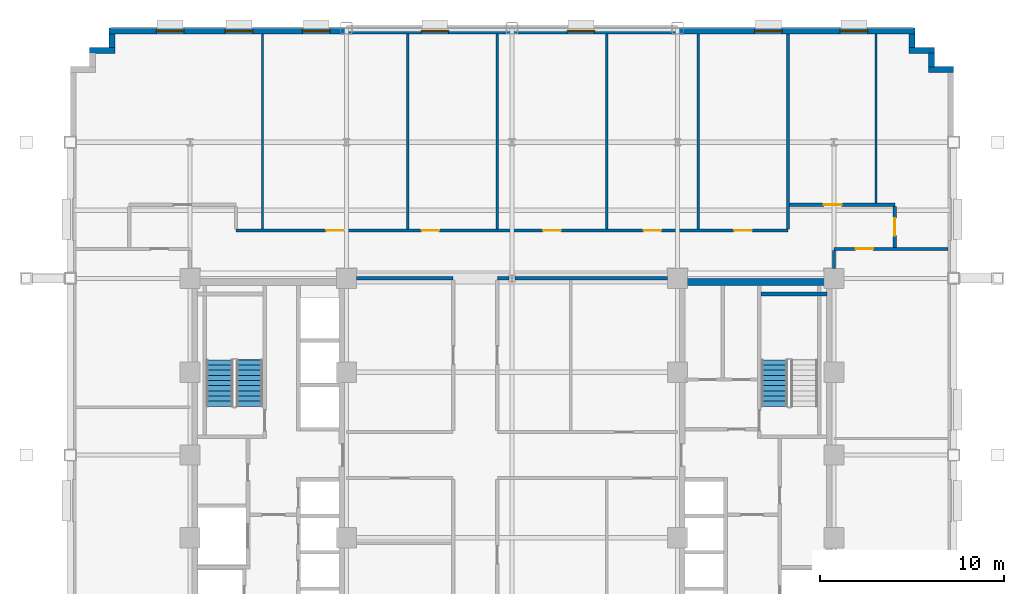
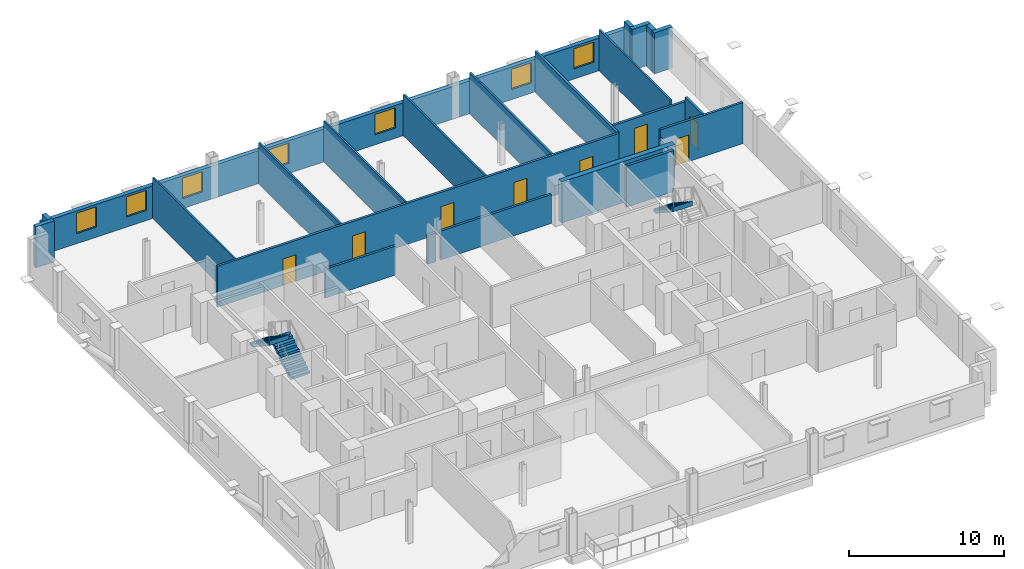
# One storey, part 9 of 14: 24 walls, 8 doors, 7 windows, 3 stair flights, 15 openings, 2 elements without a shape of their own.
"""IFC4 building model written with IfcOpenShell, lengths in metres."""

import ifcopenshell
import ifcopenshell.guid

model = None  # the IFC model being written
_history = None  # IfcOwnerHistory: only IFC2X3 demands one
_inside = {}  # id of a spatial element -> (the spatial element, [elements in it])
_under = {}  # id of a project, library or spatial element -> (it, [spatial elements below it])
_declared = {}  # id of a project -> (the project, [libraries it declares])
_typed = {}  # id of a type object -> (the type object, [elements of that type])
_made_of = {}  # id of a material, layer set ... -> (it, [elements and type objects made of it])


def new_model(schema):
    """Start an empty IFC model of exactly this schema.

    Asked for "IFC4X3", IfcOpenShell would pick the latest addendum, in which some entities
    have other attributes; the version numbers below select the first issue.
    IFC2X3 requires an IfcOwnerHistory on every rooted entity: one is made here for all.
    """
    global model, _history
    if schema == "IFC4X3":
        model = ifcopenshell.file(schema_version=(4, 3, 0, 0))
    else:
        model = ifcopenshell.file(schema=schema)
    _inside.clear()
    _under.clear()
    _declared.clear()
    _typed.clear()
    _made_of.clear()
    _history = None
    if model.schema == "IFC2X3":
        org = make("IfcOrganization", Name="unknown")
        user = make(
            "IfcPersonAndOrganization",
            ThePerson=make("IfcPerson", FamilyName="unknown"),
            TheOrganization=org,
        )
        app = make(
            "IfcApplication",
            ApplicationDeveloper=org,
            Version="unknown",
            ApplicationFullName="unknown",
            ApplicationIdentifier="unknown",
        )
        _history = make(
            "IfcOwnerHistory",
            OwningUser=user,
            OwningApplication=app,
            ChangeAction="ADDED",
            CreationDate=0,
        )
    return model


def make(cls, **values):
    """One entity of the class cls with the attributes given. An attribute that is None is left unset."""
    return model.create_entity(
        cls, **{name: value for name, value in values.items() if value is not None}
    )


def rooted(cls, **values):
    """An entity with a GlobalId (a new one), such as an element, a storey or a relation."""
    return make(cls, GlobalId=ifcopenshell.guid.new(), OwnerHistory=_history, **values)


def si_unit(unit_type, name, prefix=None):
    """IfcSIUnit, for example si_unit("LENGTHUNIT", "METRE", prefix="MILLI")."""
    return make("IfcSIUnit", UnitType=unit_type, Prefix=prefix, Name=name)


def assignment(units):
    """IfcUnitAssignment: the units of a project."""
    return None if units is None else make("IfcUnitAssignment", Units=units)


def point(xyz):
    """IfcCartesianPoint."""
    return None if xyz is None else make("IfcCartesianPoint", Coordinates=xyz)


def direction(xyz):
    """IfcDirection."""
    return None if xyz is None else make("IfcDirection", DirectionRatios=xyz)


def frame(location, z_axis=None, x_axis=None):
    """IfcAxis2Placement3D, a coordinate frame: its origin and axes. An axis left out is left unset."""
    return make(
        "IfcAxis2Placement3D",
        Location=point(location),
        Axis=direction(z_axis),
        RefDirection=direction(x_axis),
    )


def frame_2d(location, x_axis=None):
    """IfcAxis2Placement2D, a coordinate frame in the plane: its origin and x axis."""
    return make(
        "IfcAxis2Placement2D", Location=point(location), RefDirection=direction(x_axis)
    )


def origin():
    """The frame at (0, 0, 0) with its axes left unset."""
    return frame((0.0, 0.0, 0.0))


def place(relative_to, where):
    """IfcLocalPlacement: puts the frame where relative to a parent placement (None: the world)."""
    return make(
        "IfcLocalPlacement", PlacementRelTo=relative_to, RelativePlacement=where
    )


def context(
    kind, dimensions, precision=None, world=None, true_north=None, identifier=None
):
    """IfcGeometricRepresentationContext, for example the 3D "Model" context."""
    return make(
        "IfcGeometricRepresentationContext",
        ContextIdentifier=identifier,
        ContextType=kind,
        CoordinateSpaceDimension=dimensions,
        Precision=precision,
        WorldCoordinateSystem=world,
        TrueNorth=true_north,
    )


def subcontext(parent, identifier, kind, view, scale=None):
    """IfcGeometricRepresentationSubContext, for example "Body" below "Model"."""
    return make(
        "IfcGeometricRepresentationSubContext",
        ContextIdentifier=identifier,
        ContextType=kind,
        ParentContext=parent,
        TargetScale=scale,
        TargetView=view,
    )


def project(units=None, contexts=None):
    """IfcProject with its units and contexts."""
    return rooted(
        "IfcProject",
        Name="project",
        RepresentationContexts=contexts,
        UnitsInContext=assignment(units),
    )


def spatial(cls, under=None, at=None, **own):
    """A site, building, storey or space (cls), placed at a placement, below another one or the project."""
    s = rooted(cls, ObjectPlacement=at, **own)
    if under is not None:
        _under.setdefault(under.id(), (under, []))[1].append(s)
    return s


def polyline(points):
    """IfcPolyline through the points."""
    return make("IfcPolyline", Points=[point(p) for p in points])


def profile(cls, at=None, kind="AREA", **sizes):
    """A parametric profile (cls). Its sizes go by their IFC names, for example OverallWidth=200.0."""
    return make(cls, ProfileType=kind, Position=at, **sizes)


def rectangle(**sizes):
    """IfcRectangleProfileDef."""
    return profile("IfcRectangleProfileDef", **sizes)


def outline(outer, holes=None, kind="AREA"):
    """IfcArbitraryClosedProfileDef: a profile drawn as a closed curve; with holes, ...WithVoids."""
    if holes is None:
        return make("IfcArbitraryClosedProfileDef", ProfileType=kind, OuterCurve=outer)
    return make(
        "IfcArbitraryProfileDefWithVoids",
        ProfileType=kind,
        OuterCurve=outer,
        InnerCurves=holes,
    )


def extrude(swept, where, along, depth):
    """IfcExtrudedAreaSolid: the profile swept, set in the frame where, extruded along a direction by depth."""
    return make(
        "IfcExtrudedAreaSolid",
        SweptArea=swept,
        Position=where,
        ExtrudedDirection=direction(along),
        Depth=depth,
    )


def shape(context_of_items, identifier, shape_type, items):
    """IfcShapeRepresentation: the items that make up one representation, for example the "Body"."""
    return make(
        "IfcShapeRepresentation",
        ContextOfItems=context_of_items,
        RepresentationIdentifier=identifier,
        RepresentationType=shape_type,
        Items=items,
    )


def source(mapping_origin, context_of_items, identifier, shape_type, items):
    """IfcRepresentationMap: a shape defined once, which mapped items show again and again."""
    return make(
        "IfcRepresentationMap",
        MappingOrigin=mapping_origin,
        MappedRepresentation=shape(context_of_items, identifier, shape_type, items),
    )


def transform(
    local_origin,
    x_axis=None,
    y_axis=None,
    z_axis=None,
    scale=None,
    scale2=None,
    scale3=None,
    uniform=True,
):
    """IfcCartesianTransformationOperator3D, or its non-uniform kind. x_axis, y_axis, z_axis: its Axis1, 2, 3."""
    if uniform:
        return make(
            "IfcCartesianTransformationOperator3D",
            Axis1=direction(x_axis),
            Axis2=direction(y_axis),
            LocalOrigin=point(local_origin),
            Scale=scale,
            Axis3=direction(z_axis),
        )
    return make(
        "IfcCartesianTransformationOperator3DnonUniform",
        Axis1=direction(x_axis),
        Axis2=direction(y_axis),
        LocalOrigin=point(local_origin),
        Scale=scale,
        Axis3=direction(z_axis),
        Scale2=scale2,
        Scale3=scale3,
    )


def mapped(mapping_source, mapping_target):
    """IfcMappedItem: shows the shape of a source again, moved by a transform."""
    return make(
        "IfcMappedItem", MappingSource=mapping_source, MappingTarget=mapping_target
    )


def material(Name=None, Category=None):
    """IfcMaterial."""
    return make("IfcMaterial", Name=Name, Category=Category)


def layer(
    of_material, thickness, ventilated=None, Name=None, Category=None, Priority=None
):
    """IfcMaterialLayer: one layer of a wall or slab, of a material (None: an air gap)."""
    return make(
        "IfcMaterialLayer",
        Material=of_material,
        LayerThickness=thickness,
        IsVentilated=ventilated,
        Name=Name,
        Category=Category,
        Priority=Priority,
    )


def layer_set(layers, Name=None):
    """IfcMaterialLayerSet."""
    return make("IfcMaterialLayerSet", MaterialLayers=layers, LayerSetName=Name)


def made_of(thing, what):
    """Note that an element or type object is made of a material, layer set ...; save() writes the relation."""
    if what is not None:
        _made_of.setdefault(what.id(), (what, []))[1].append(thing)
    return thing


def type_object(cls, material=None, **own):
    """A type object (cls), such as IfcWallType, which elements share."""
    return made_of(rooted(cls, **own), material)


def type_shapes(of_type, sources):
    """Give a type object the sources (RepresentationMaps) that its elements show as mapped items."""
    of_type.RepresentationMaps = sources


def element(
    cls,
    number,
    at=None,
    inside=None,
    cuts=None,
    type_object=None,
    material=None,
    context=None,
    identifier="Body",
    shape_type=None,
    held_by="IfcProductDefinitionShape",
    body=None,
    shapes=None,
    **own,
):
    """One element of the class cls, such as IfcWall. Its Tag is "e" and its number.

    at: its placement. inside: the storey or other place that contains it. cuts: it is an
    opening in that element (IfcRelVoidsElement). A single representation is given by context,
    identifier, shape_type and body (its items); several are given by shapes. held_by: the class
    of the entity that holds the representations. save() writes the other relations.
    """
    e = rooted(cls, Tag="e%d" % number, ObjectPlacement=at, **own)
    if body is not None:
        shapes = [shape(context, identifier, shape_type, body)]
    if shapes is not None:
        e.Representation = make(held_by, Representations=shapes)
    if inside is not None:
        _inside.setdefault(inside.id(), (inside, []))[1].append(e)
    if cuts is not None:
        rooted(
            "IfcRelVoidsElement", RelatingBuildingElement=cuts, RelatedOpeningElement=e
        )
    if type_object is not None:
        _typed.setdefault(type_object.id(), (type_object, []))[1].append(e)
    return made_of(e, material)


def fill(opening, filler):
    """IfcRelFillsElement: the door or window that sits in an opening."""
    return rooted(
        "IfcRelFillsElement",
        RelatingOpeningElement=opening,
        RelatedBuildingElement=filler,
    )


def aggregate(whole, parts):
    """IfcRelAggregates: a whole, such as a stair, and the parts it consists of."""
    return rooted("IfcRelAggregates", RelatingObject=whole, RelatedObjects=parts)


def save(model, path):
    """Write the relations noted so far, then the file.

    IfcRelAggregates (storeys below a building ...), IfcRelContainedInSpatialStructure (elements
    in a storey), IfcRelDefinesByType, IfcRelAssociatesMaterial and IfcRelDeclares: one each for
    every whole, place, type object, material and project.
    """
    for whole, parts in _under.values():
        aggregate(whole, parts)
    for where, things in _inside.values():
        rooted(
            "IfcRelContainedInSpatialStructure",
            RelatedElements=things,
            RelatingStructure=where,
        )
    for kind, things in _typed.values():
        rooted("IfcRelDefinesByType", RelatedObjects=things, RelatingType=kind)
    for what, things in _made_of.values():
        rooted("IfcRelAssociatesMaterial", RelatedObjects=things, RelatingMaterial=what)
    for by, libraries in _declared.values():
        rooted("IfcRelDeclares", RelatingContext=by, RelatedDefinitions=libraries)
    model.write(path)


model = new_model("IFC4")

# Units and contexts
model_context = context("Model", 3, precision=1e-05, world=origin(), true_north=direction((0.0, 1.0)))
body_context = subcontext(model_context, "Body", "Model", "MODEL_VIEW")
ifc_project = project(units=[si_unit("LENGTHUNIT", "METRE"), si_unit("AREAUNIT", "SQUARE_METRE"), si_unit("VOLUMEUNIT", "CUBIC_METRE"), si_unit("PLANEANGLEUNIT", "RADIAN"), si_unit("MASSUNIT", "GRAM", prefix="KILO")], contexts=[model_context])

# Site, building, storey
site_placement = place(None, origin())
site = spatial("IfcSite", under=ifc_project, at=site_placement, CompositionType="ELEMENT")
building_placement = place(site_placement, origin())
building = spatial("IfcBuilding", under=site, at=building_placement, Name="Nuvemarco Arch Tower", CompositionType="ELEMENT")
storey_placement = place(building_placement, frame((0.0, 0.0, 112.89990234375)))
storey = spatial("IfcBuildingStorey", under=building, at=storey_placement, Name="L29", CompositionType="ELEMENT", Elevation=112.89990234375)

# Walls
ifc_material_1 = material(Name="Precast concrete C45/55", Category="concrete")
ifc_layer_1 = layer(ifc_material_1, 0.320068359375, Name="EW-MID-320")
ifc_layer_set_1 = layer_set([ifc_layer_1], Name="Precast concrete C45/55")
wall_type_1 = type_object("IfcWallType", Name="EW-MID-320", PredefinedType="STANDARD", material=ifc_layer_set_1)
wall_1_placement = place(storey_placement, frame((22.6298828125, 20.93994140625, 0.0), z_axis=(0.0, 0.0, 1.0), x_axis=(1.0, 0.0, 0.0)))
element("IfcWall", 1, at=wall_1_placement, inside=storey, type_object=wall_type_1, Name="L29 exterior precast facade wall 7", PredefinedType="STANDARD", context=body_context, shape_type="SweptSolid", body=[
    extrude(rectangle(XDim=1.3701171875, YDim=0.320068359375, at=frame_2d((0.68505859375, 0.0))), origin(), (0.0, 0.0, 1.0), 3.239990234375),
])
wall_2_placement = place(storey_placement, frame((22.7900390625, 21.095947265625, 0.0), z_axis=(0.0, 0.0, 1.0), x_axis=(0.0, 1.0, 0.0)))
element("IfcWall", 2, at=wall_2_placement, inside=storey, type_object=wall_type_1, Name="L29 exterior precast facade wall 8", PredefinedType="STANDARD", context=body_context, shape_type="SweptSolid", body=[
    extrude(rectangle(XDim=0.738037109375, YDim=0.320068359375, at=frame_2d((0.369140625, 0.0))), origin(), (0.0, 0.0, 1.0), 3.239990234375),
])
wall_3_placement = place(storey_placement, frame((21.580078125, 21.989990234375, 0.0), z_axis=(0.0, 0.0, 1.0), x_axis=(1.0, 0.0, 0.0)))
element("IfcWall", 3, at=wall_3_placement, inside=storey, type_object=wall_type_1, Name="L29 exterior precast facade wall 9", PredefinedType="STANDARD", context=body_context, shape_type="SweptSolid", body=[
    extrude(rectangle(XDim=1.369873046875, YDim=0.320068359375, at=frame_2d((0.68505859375, 0.0))), origin(), (0.0, 0.0, 1.0), 3.239990234375),
])
wall_4_placement = place(storey_placement, frame((21.739990234375, 22.14599609375, 0.0), z_axis=(0.0, 0.0, 1.0), x_axis=(0.0, 1.0, 0.0)))
element("IfcWall", 4, at=wall_4_placement, inside=storey, type_object=wall_type_1, Name="L29 exterior precast facade wall 10", PredefinedType="STANDARD", context=body_context, shape_type="SweptSolid", body=[
    extrude(rectangle(XDim=0.738037109375, YDim=0.320068359375, at=frame_2d((0.369140625, 0.0))), origin(), (0.0, 0.0, 1.0), 3.239990234375),
])

# Wall, openings, windows
wall_5_placement = place(storey_placement, frame((-21.89990234375, 23.0400390625, 0.0), z_axis=(0.0, 0.0, 1.0), x_axis=(1.0, 0.0, 0.0)))
wall_5 = element("IfcWall", 5, at=wall_5_placement, inside=storey, type_object=wall_type_1, Name="L29 exterior precast facade wall 11", PredefinedType="STANDARD", context=body_context, shape_type="SweptSolid", body=[
    extrude(rectangle(XDim=43.7998046875, YDim=0.320068359375, at=frame_2d((21.89990234375, 0.0))), origin(), (0.0, 0.0, 1.0), 2.585205078125),
])
opening_1_placement = place(wall_5_placement, frame((2.572265625, 0.0, 0.800048828125)))
opening_1 = element("IfcOpeningElement", 6, at=opening_1_placement, cuts=wall_5, Name="Opening WN-11", PredefinedType="OPENING", context=body_context, shape_type="SweptSolid", body=[
    extrude(rectangle(XDim=1.5, YDim=1.60009765625, at=frame_2d((0.75, 0.800048828125))), frame((0.0, 0.169921875, 0.0), z_axis=(0.0, -1.0, 0.0), x_axis=(1.0, 0.0, 0.0)), (0.0, 0.0, 1.0), 0.340087890625),
])
opening_2_placement = place(wall_5_placement, frame((6.316650390625, 0.0, 0.800048828125)))
opening_2 = element("IfcOpeningElement", 7, at=opening_2_placement, cuts=wall_5, Name="Opening WN-11", PredefinedType="OPENING", context=body_context, shape_type="SweptSolid", body=[
    extrude(rectangle(XDim=1.5, YDim=1.60009765625, at=frame_2d((0.75, 0.800048828125))), frame((0.0, 0.169921875, 0.0), z_axis=(0.0, -1.0, 0.0), x_axis=(1.0, 0.0, 0.0)), (0.0, 0.0, 1.0), 0.340087890625),
])
opening_3_placement = place(wall_5_placement, frame((10.510986328125, 0.0, 0.800048828125)))
opening_3 = element("IfcOpeningElement", 8, at=opening_3_placement, cuts=wall_5, Name="Opening WN-11", PredefinedType="OPENING", context=body_context, shape_type="SweptSolid", body=[
    extrude(rectangle(XDim=1.5, YDim=1.60009765625, at=frame_2d((0.75, 0.800048828125))), frame((0.0, 0.169921875, 0.0), z_axis=(0.0, -1.0, 0.0), x_axis=(1.0, 0.0, 0.0)), (0.0, 0.0, 1.0), 0.340087890625),
])
opening_4_placement = place(wall_5_placement, frame((16.95556640625, 0.0, 0.800048828125)))
opening_4 = element("IfcOpeningElement", 9, at=opening_4_placement, cuts=wall_5, Name="Opening WN-11", PredefinedType="OPENING", context=body_context, shape_type="SweptSolid", body=[
    extrude(rectangle(XDim=1.5, YDim=1.60009765625, at=frame_2d((0.75, 0.800048828125))), frame((0.0, 0.169921875, 0.0), z_axis=(0.0, -1.0, 0.0), x_axis=(1.0, 0.0, 0.0)), (0.0, 0.0, 1.0), 0.340087890625),
])
opening_5_placement = place(wall_5_placement, frame((24.894287109375, 0.0, 0.800048828125)))
opening_5 = element("IfcOpeningElement", 10, at=opening_5_placement, cuts=wall_5, Name="Opening WN-11", PredefinedType="OPENING", context=body_context, shape_type="SweptSolid", body=[
    extrude(rectangle(XDim=1.5, YDim=1.60009765625, at=frame_2d((0.75, 0.800048828125))), frame((0.0, 0.169921875, 0.0), z_axis=(0.0, -1.0, 0.0), x_axis=(1.0, 0.0, 0.0)), (0.0, 0.0, 1.0), 0.340087890625),
])
opening_6_placement = place(wall_5_placement, frame((35.083251953125, 0.0, 0.800048828125)))
opening_6 = element("IfcOpeningElement", 11, at=opening_6_placement, cuts=wall_5, Name="Opening WN-11", PredefinedType="OPENING", context=body_context, shape_type="SweptSolid", body=[
    extrude(rectangle(XDim=1.5, YDim=1.60009765625, at=frame_2d((0.75, 0.800048828125))), frame((0.0, 0.169921875, 0.0), z_axis=(0.0, -1.0, 0.0), x_axis=(1.0, 0.0, 0.0)), (0.0, 0.0, 1.0), 0.340087890625),
])
opening_7_placement = place(wall_5_placement, frame((39.727783203125, 0.0, 0.800048828125)))
opening_7 = element("IfcOpeningElement", 12, at=opening_7_placement, cuts=wall_5, Name="Opening WN-11", PredefinedType="OPENING", context=body_context, shape_type="SweptSolid", body=[
    extrude(rectangle(XDim=1.5, YDim=1.60009765625, at=frame_2d((0.75, 0.800048828125))), frame((0.0, 0.169921875, 0.0), z_axis=(0.0, -1.0, 0.0), x_axis=(1.0, 0.0, 0.0)), (0.0, 0.0, 1.0), 0.340087890625),
])
ifc_material_2 = material(Name="Insulated solar-control glass", Category="glass")
window_type = type_object("IfcWindowType", Name="WN-STEP-1500x1850", PartitioningType="SINGLE_PANEL", PredefinedType="WINDOW", material=ifc_material_2)
shared_shape_1 = source(origin(), body_context, "Body", "SweptSolid", [
    extrude(rectangle(XDim=1.5, YDim=1.60009765625, at=frame_2d((0.75, 0.800048828125))), frame((0.0, 0.030029296875, 0.0), z_axis=(0.0, -1.0, 0.0), x_axis=(1.0, 0.0, 0.0)), (0.0, 0.0, 1.0), 0.06005859375),
])
type_shapes(window_type, [shared_shape_1])
window_1_placement = place(opening_1_placement, origin())
window_1 = element("IfcWindow", 13, at=window_1_placement, inside=storey, type_object=window_type, Name="L29 punched facade window 1", OverallHeight=1.60009765625, OverallWidth=1.5, PartitioningType="SINGLE_PANEL", PredefinedType="WINDOW", context=body_context, shape_type="MappedRepresentation", body=[
    mapped(shared_shape_1, transform((0.0, 0.0, 0.0), scale=1.0)),
])
fill(opening_1, window_1)
window_2_placement = place(opening_2_placement, origin())
window_2 = element("IfcWindow", 14, at=window_2_placement, inside=storey, type_object=window_type, Name="L29 punched facade window 2", OverallHeight=1.60009765625, OverallWidth=1.5, PartitioningType="SINGLE_PANEL", PredefinedType="WINDOW", context=body_context, shape_type="MappedRepresentation", body=[
    mapped(shared_shape_1, transform((0.0, 0.0, 0.0), scale=1.0)),
])
fill(opening_2, window_2)
window_3_placement = place(opening_3_placement, origin())
window_3 = element("IfcWindow", 15, at=window_3_placement, inside=storey, type_object=window_type, Name="L29 punched facade window 3", OverallHeight=1.60009765625, OverallWidth=1.5, PartitioningType="SINGLE_PANEL", PredefinedType="WINDOW", context=body_context, shape_type="MappedRepresentation", body=[
    mapped(shared_shape_1, transform((0.0, 0.0, 0.0), scale=1.0)),
])
fill(opening_3, window_3)
window_4_placement = place(opening_4_placement, origin())
window_4 = element("IfcWindow", 16, at=window_4_placement, inside=storey, type_object=window_type, Name="L29 punched facade window 4", OverallHeight=1.60009765625, OverallWidth=1.5, PartitioningType="SINGLE_PANEL", PredefinedType="WINDOW", context=body_context, shape_type="MappedRepresentation", body=[
    mapped(shared_shape_1, transform((0.0, 0.0, 0.0), scale=1.0)),
])
fill(opening_4, window_4)
window_5_placement = place(opening_5_placement, origin())
window_5 = element("IfcWindow", 17, at=window_5_placement, inside=storey, type_object=window_type, Name="L29 punched facade window 6", OverallHeight=1.60009765625, OverallWidth=1.5, PartitioningType="SINGLE_PANEL", PredefinedType="WINDOW", context=body_context, shape_type="MappedRepresentation", body=[
    mapped(shared_shape_1, transform((0.0, 0.0, 0.0), scale=1.0)),
])
fill(opening_5, window_5)
window_6_placement = place(opening_6_placement, origin())
window_6 = element("IfcWindow", 18, at=window_6_placement, inside=storey, type_object=window_type, Name="L29 punched facade window 8", OverallHeight=1.60009765625, OverallWidth=1.5, PartitioningType="SINGLE_PANEL", PredefinedType="WINDOW", context=body_context, shape_type="MappedRepresentation", body=[
    mapped(shared_shape_1, transform((0.0, 0.0, 0.0), scale=1.0)),
])
fill(opening_6, window_6)
window_7_placement = place(opening_7_placement, origin())
window_7 = element("IfcWindow", 19, at=window_7_placement, inside=storey, type_object=window_type, Name="L29 punched facade window 9", OverallHeight=1.60009765625, OverallWidth=1.5, PartitioningType="SINGLE_PANEL", PredefinedType="WINDOW", context=body_context, shape_type="MappedRepresentation", body=[
    mapped(shared_shape_1, transform((0.0, 0.0, 0.0), scale=1.0)),
])
fill(opening_7, window_7)

# Walls
wall_6_placement = place(storey_placement, frame((-21.739990234375, 22.14599609375, 0.0), z_axis=(0.0, 0.0, 1.0), x_axis=(0.0, 1.0, 0.0)))
element("IfcWall", 20, at=wall_6_placement, inside=storey, type_object=wall_type_1, Name="L29 exterior precast facade wall 12", PredefinedType="STANDARD", context=body_context, shape_type="SweptSolid", body=[
    extrude(rectangle(XDim=0.738037109375, YDim=0.320068359375, at=frame_2d((0.369140625, 0.0))), origin(), (0.0, 0.0, 1.0), 3.239990234375),
])
wall_7_placement = place(storey_placement, frame((-22.949951171875, 21.989990234375, 0.0), z_axis=(0.0, 0.0, 1.0), x_axis=(1.0, 0.0, 0.0)))
element("IfcWall", 21, at=wall_7_placement, inside=storey, type_object=wall_type_1, Name="L29 exterior precast facade wall 13", PredefinedType="STANDARD", context=body_context, shape_type="SweptSolid", body=[
    extrude(rectangle(XDim=1.369873046875, YDim=0.320068359375, at=frame_2d((0.68505859375, 0.0))), origin(), (0.0, 0.0, 1.0), 3.239990234375),
])
ifc_material_3 = material(Name="Concrete C60/75", Category="concrete")
ifc_layer_2 = layer(ifc_material_3, 0.39990234375, Name="WL-CORE-400")
ifc_layer_set_2 = layer_set([ifc_layer_2], Name="Concrete C60/75")
wall_type_2 = type_object("IfcWallType", Name="WL-CORE-400", PredefinedType="SHEAR", material=ifc_layer_set_2)
wall_8_placement = place(storey_placement, frame((9.0, 9.39990234375, 0.0), z_axis=(0.0, 0.0, 1.0), x_axis=(1.0, 0.0, 0.0)))
element("IfcWall", 22, at=wall_8_placement, inside=storey, type_object=wall_type_2, Name="L29 E-core shear wall N", PredefinedType="SHEAR", context=body_context, shape_type="SweptSolid", body=[
    extrude(rectangle(XDim=8.5, YDim=0.39990234375, at=frame_2d((4.25, 0.0))), origin(), (0.0, 0.0, 1.0), 3.25),
])
ifc_material_4 = material(Name="Fire-rated gypsum drywall partition")
ifc_layer_3 = layer(ifc_material_4, 0.179931640625, Name="WL-CORR-180")
ifc_layer_set_3 = layer_set([ifc_layer_3], Name="Fire-rated gypsum drywall partition")
wall_type_3 = type_object("IfcWallType", Name="WL-CORR-180", PredefinedType="PARTITIONING", material=ifc_layer_set_3)
wall_9_placement = place(storey_placement, frame((-8.4541015625, 9.60009765625, 0.0), z_axis=(0.0, 0.0, 1.0), x_axis=(1.0, 0.0, 0.0)))
element("IfcWall", 23, at=wall_9_placement, inside=storey, type_object=wall_type_3, Name="L29 interior wall IW-L29-017", PredefinedType="PARTITIONING", context=body_context, shape_type="SweptSolid", body=[
    extrude(rectangle(XDim=5.254150390625, YDim=0.179931640625, at=frame_2d((2.626953125, 0.0))), origin(), (0.0, 0.0, 1.0), 2.28515625),
])
wall_10_placement = place(storey_placement, frame((-0.800048828125, 9.60009765625, 0.0), z_axis=(0.0, 0.0, 1.0), x_axis=(1.0, 0.0, 0.0)))
element("IfcWall", 24, at=wall_10_placement, inside=storey, type_object=wall_type_3, Name="L29 interior wall IW-L29-018", PredefinedType="PARTITIONING", context=body_context, shape_type="SweptSolid", body=[
    extrude(rectangle(XDim=0.6240234375, YDim=0.179931640625, at=frame_2d((0.31201171875, 0.0))), origin(), (0.0, 0.0, 1.0), 2.28515625),
])
wall_11_placement = place(storey_placement, frame((0.176025390625, 9.60009765625, 0.0), z_axis=(0.0, 0.0, 1.0), x_axis=(1.0, 0.0, 0.0)))
element("IfcWall", 25, at=wall_11_placement, inside=storey, type_object=wall_type_3, Name="L29 interior wall IW-L29-019", PredefinedType="PARTITIONING", context=body_context, shape_type="SweptSolid", body=[
    extrude(rectangle(XDim=8.278076171875, YDim=0.179931640625, at=frame_2d((4.13916015625, 0.0))), origin(), (0.0, 0.0, 1.0), 2.28515625),
])

# Wall, opening, door
wall_12_placement = place(storey_placement, frame((17.5, 11.199951171875, 0.0), z_axis=(0.0, 0.0, 1.0), x_axis=(1.0, 0.0, 0.0)))
wall_12 = element("IfcWall", 26, at=wall_12_placement, inside=storey, type_object=wall_type_3, Name="L29 interior wall IW-L29-021", PredefinedType="PARTITIONING", context=body_context, shape_type="SweptSolid", body=[
    extrude(rectangle(XDim=6.179931640625, YDim=0.179931640625, at=frame_2d((3.08984375, 0.0))), origin(), (0.0, 0.0, 1.0), 3.239990234375),
])
opening_8_placement = place(wall_12_placement, frame((1.169921875, 0.0, 0.0)))
opening_8 = element("IfcOpeningElement", 27, at=opening_8_placement, cuts=wall_12, Name="Opening FD-5", PredefinedType="OPENING", context=body_context, shape_type="SweptSolid", body=[
    extrude(rectangle(XDim=0.9599609375, YDim=2.10009765625, at=frame_2d((0.47998046875, 1.050048828125))), frame((0.0, 0.099853515625, 0.0), z_axis=(0.0, -1.0, 0.0), x_axis=(1.0, 0.0, 0.0)), (0.0, 0.0, 1.0), 0.199951171875),
])
ifc_material_5 = material(Name="Timber fire door", Category="wood")
door_type = type_object("IfcDoorType", Name="DR-CORR-FD", OperationType="NOTDEFINED", PredefinedType="DOOR", material=ifc_material_5)
shared_shape_2 = source(origin(), body_context, "Body", "SweptSolid", [
    extrude(rectangle(XDim=0.9599609375, YDim=2.10009765625, at=frame_2d((0.47998046875, 1.050048828125))), frame((0.0, 0.02490234375, 0.0), z_axis=(0.0, -1.0, 0.0), x_axis=(1.0, 0.0, 0.0)), (0.0, 0.0, 1.0), 0.050048828125),
])
type_shapes(door_type, [shared_shape_2])
door_1_placement = place(opening_8_placement, origin())
door_1 = element("IfcDoor", 28, at=door_1_placement, inside=storey, type_object=door_type, Name="L29 door DR-L29-E_2", OperationType="SINGLE_SWING_LEFT", OverallHeight=2.10009765625, OverallWidth=0.9599609375, PredefinedType="DOOR", context=body_context, shape_type="MappedRepresentation", body=[
    mapped(shared_shape_2, transform((0.0, 0.0, 0.0), scale=1.0)),
])
fill(opening_8, door_1)

# Wall, openings, doors
wall_13_placement = place(storey_placement, frame((-15.0, 12.199951171875, 0.0), z_axis=(0.0, 0.0, 1.0), x_axis=(1.0, 0.0, 0.0)))
wall_13 = element("IfcWall", 29, at=wall_13_placement, inside=storey, type_object=wall_type_3, Name="L29 interior wall IW-L29-022", PredefinedType="PARTITIONING", context=body_context, shape_type="SweptSolid", body=[
    extrude(rectangle(XDim=30.0, YDim=0.179931640625, at=frame_2d((15.0, 0.0))), origin(), (0.0, 0.0, 1.0), 3.239990234375),
])
opening_9_placement = place(wall_13_placement, frame((4.905029296875, 0.0, 0.0)))
opening_9 = element("IfcOpeningElement", 30, at=opening_9_placement, cuts=wall_13, Name="Opening FD-5", PredefinedType="OPENING", context=body_context, shape_type="SweptSolid", body=[
    extrude(rectangle(XDim=0.9599609375, YDim=2.10009765625, at=frame_2d((0.47998046875, 1.050048828125))), frame((0.0, 0.099853515625, 0.0), z_axis=(0.0, -1.0, 0.0), x_axis=(1.0, 0.0, 0.0)), (0.0, 0.0, 1.0), 0.199951171875),
])
opening_10_placement = place(wall_13_placement, frame((16.695068359375, 0.0, 0.0)))
opening_10 = element("IfcOpeningElement", 31, at=opening_10_placement, cuts=wall_13, Name="Opening FD-5", PredefinedType="OPENING", context=body_context, shape_type="SweptSolid", body=[
    extrude(rectangle(XDim=0.9599609375, YDim=2.10009765625, at=frame_2d((0.47998046875, 1.050048828125))), frame((0.0, 0.099853515625, 0.0), z_axis=(0.0, -1.0, 0.0), x_axis=(1.0, 0.0, 0.0)), (0.0, 0.0, 1.0), 0.199951171875),
])
opening_11_placement = place(wall_13_placement, frame((22.14990234375, 0.0, 0.0)))
opening_11 = element("IfcOpeningElement", 32, at=opening_11_placement, cuts=wall_13, Name="Opening FD-5", PredefinedType="OPENING", context=body_context, shape_type="SweptSolid", body=[
    extrude(rectangle(XDim=0.9599609375, YDim=2.10009765625, at=frame_2d((0.47998046875, 1.050048828125))), frame((0.0, 0.099853515625, 0.0), z_axis=(0.0, -1.0, 0.0), x_axis=(1.0, 0.0, 0.0)), (0.0, 0.0, 1.0), 0.199951171875),
])
opening_12_placement = place(wall_13_placement, frame((27.074951171875, 0.0, 0.0)))
opening_12 = element("IfcOpeningElement", 33, at=opening_12_placement, cuts=wall_13, Name="Opening FD-5", PredefinedType="OPENING", context=body_context, shape_type="SweptSolid", body=[
    extrude(rectangle(XDim=0.9599609375, YDim=2.10009765625, at=frame_2d((0.47998046875, 1.050048828125))), frame((0.0, 0.099853515625, 0.0), z_axis=(0.0, -1.0, 0.0), x_axis=(1.0, 0.0, 0.0)), (0.0, 0.0, 1.0), 0.199951171875),
])
opening_13_placement = place(wall_13_placement, frame((10.0849609375, 0.0, 0.0)))
opening_13 = element("IfcOpeningElement", 34, at=opening_13_placement, cuts=wall_13, Name="Opening FD-5", PredefinedType="OPENING", context=body_context, shape_type="SweptSolid", body=[
    extrude(rectangle(XDim=0.9599609375, YDim=2.10009765625, at=frame_2d((0.47998046875, 1.050048828125))), frame((0.0, 0.099853515625, 0.0), z_axis=(0.0, -1.0, 0.0), x_axis=(1.0, 0.0, 0.0)), (0.0, 0.0, 1.0), 0.199951171875),
])
door_2_placement = place(opening_9_placement, origin())
door_2 = element("IfcDoor", 35, at=door_2_placement, inside=storey, type_object=door_type, Name="L29 door DR-L29-N_2", OperationType="SINGLE_SWING_RIGHT", OverallHeight=2.10009765625, OverallWidth=0.9599609375, PredefinedType="DOOR", context=body_context, shape_type="MappedRepresentation", body=[
    mapped(shared_shape_2, transform((0.0, 0.0, 0.0), scale=1.0)),
])
fill(opening_9, door_2)
door_3_placement = place(opening_10_placement, origin())
door_3 = element("IfcDoor", 36, at=door_3_placement, inside=storey, type_object=door_type, Name="L29 door DR-L29-N_4", OperationType="SINGLE_SWING_RIGHT", OverallHeight=2.10009765625, OverallWidth=0.9599609375, PredefinedType="DOOR", context=body_context, shape_type="MappedRepresentation", body=[
    mapped(shared_shape_2, transform((0.0, 0.0, 0.0), scale=1.0)),
])
fill(opening_10, door_3)
door_4_placement = place(opening_11_placement, origin())
door_4 = element("IfcDoor", 37, at=door_4_placement, inside=storey, type_object=door_type, Name="L29 door DR-L29-N_5", OperationType="SINGLE_SWING_RIGHT", OverallHeight=2.10009765625, OverallWidth=0.9599609375, PredefinedType="DOOR", context=body_context, shape_type="MappedRepresentation", body=[
    mapped(shared_shape_2, transform((0.0, 0.0, 0.0), scale=1.0)),
])
fill(opening_11, door_4)
door_5_placement = place(opening_12_placement, origin())
door_5 = element("IfcDoor", 38, at=door_5_placement, inside=storey, type_object=door_type, Name="L29 door DR-L29-N_6", OperationType="SINGLE_SWING_LEFT", OverallHeight=2.10009765625, OverallWidth=0.9599609375, PredefinedType="DOOR", context=body_context, shape_type="MappedRepresentation", body=[
    mapped(shared_shape_2, transform((0.0, 0.0, 0.0), scale=1.0)),
])
fill(opening_12, door_5)
door_6_placement = place(opening_13_placement, origin())
door_6 = element("IfcDoor", 39, at=door_6_placement, inside=storey, type_object=door_type, Name="L29 door DR-L29-N_3", OperationType="SINGLE_SWING_RIGHT", OverallHeight=2.10009765625, OverallWidth=0.9599609375, PredefinedType="DOOR", context=body_context, shape_type="MappedRepresentation", body=[
    mapped(shared_shape_2, transform((0.0, 0.0, 0.0), scale=1.0)),
])
fill(opening_13, door_6)

# Wall, opening, door
wall_14_placement = place(storey_placement, frame((15.0859375, 13.60009765625, 0.0), z_axis=(0.0, 0.0, 1.0), x_axis=(1.0, 0.0, 0.0)))
wall_14 = element("IfcWall", 40, at=wall_14_placement, inside=storey, type_object=wall_type_3, Name="L29 interior wall IW-L29-024", PredefinedType="PARTITIONING", context=body_context, shape_type="SweptSolid", body=[
    extrude(rectangle(XDim=5.714111328125, YDim=0.179931640625, at=frame_2d((2.85693359375, 0.0))), origin(), (0.0, 0.0, 1.0), 2.878173828125),
])
opening_14_placement = place(wall_14_placement, frame((1.866943359375, 0.0, 0.0)))
opening_14 = element("IfcOpeningElement", 41, at=opening_14_placement, cuts=wall_14, Name="Opening FD-5", PredefinedType="OPENING", context=body_context, shape_type="SweptSolid", body=[
    extrude(rectangle(XDim=0.9599609375, YDim=2.10009765625, at=frame_2d((0.47998046875, 1.050048828125))), frame((0.0, 0.099853515625, 0.0), z_axis=(0.0, -1.0, 0.0), x_axis=(1.0, 0.0, 0.0)), (0.0, 0.0, 1.0), 0.199951171875),
])
door_7_placement = place(opening_14_placement, origin())
door_7 = element("IfcDoor", 42, at=door_7_placement, inside=storey, type_object=door_type, Name="L29 door DR-L29-N_7", OperationType="SINGLE_SWING_RIGHT", OverallHeight=2.10009765625, OverallWidth=0.9599609375, PredefinedType="DOOR", context=body_context, shape_type="MappedRepresentation", body=[
    mapped(shared_shape_2, transform((0.0, 0.0, 0.0), scale=1.0)),
])
fill(opening_14, door_7)

# Walls
wall_15_placement = place(storey_placement, frame((15.0, 12.285888671875, 0.0), z_axis=(0.0, 0.0, 1.0), x_axis=(0.0, 1.0, 0.0)))
element("IfcWall", 43, at=wall_15_placement, inside=storey, type_object=wall_type_3, Name="L29 interior wall IW-L29-049", PredefinedType="PARTITIONING", context=body_context, shape_type="SweptSolid", body=[
    extrude(rectangle(XDim=10.593994140625, YDim=0.179931640625, at=frame_2d((5.296875, 0.0))), origin(), (0.0, 0.0, 1.0), 3.239990234375),
])
wall_16_placement = place(storey_placement, frame((17.5, 10.14599609375, 0.0), z_axis=(0.0, 0.0, 1.0), x_axis=(0.0, 1.0, 0.0)))
element("IfcWall", 44, at=wall_16_placement, inside=storey, type_object=wall_type_3, Name="L29 interior wall IW-L29-051", PredefinedType="PARTITIONING", context=body_context, shape_type="SweptSolid", body=[
    extrude(rectangle(XDim=0.968017578125, YDim=0.179931640625, at=frame_2d((0.48388671875, 0.0))), origin(), (0.0, 0.0, 1.0), 2.6181640625),
])

# Wall, opening, door
wall_17_placement = place(storey_placement, frame((20.800048828125, 11.285888671875, 0.0), z_axis=(0.0, 0.0, 1.0), x_axis=(0.0, 1.0, 0.0)))
wall_17 = element("IfcWall", 45, at=wall_17_placement, inside=storey, type_object=wall_type_3, Name="L29 interior wall IW-L29-054", PredefinedType="PARTITIONING", context=body_context, shape_type="SweptSolid", body=[
    extrude(rectangle(XDim=2.22802734375, YDim=0.179931640625, at=frame_2d((1.114013671875, 0.0))), origin(), (0.0, 0.0, 1.0), 3.239990234375),
])
opening_15_placement = place(wall_17_placement, frame((0.634033203125, 0.0, 0.0)))
opening_15 = element("IfcOpeningElement", 46, at=opening_15_placement, cuts=wall_17, Name="Opening FD-5", PredefinedType="OPENING", context=body_context, shape_type="SweptSolid", body=[
    extrude(rectangle(XDim=0.9599609375, YDim=2.10009765625, at=frame_2d((0.47998046875, 1.050048828125))), frame((0.0, 0.099853515625, 0.0), z_axis=(0.0, -1.0, 0.0), x_axis=(1.0, 0.0, 0.0)), (0.0, 0.0, 1.0), 0.199951171875),
])
door_8_placement = place(opening_15_placement, origin())
door_8 = element("IfcDoor", 47, at=door_8_placement, inside=storey, type_object=door_type, Name="L29 door DR-L29-N_8", OperationType="SINGLE_SWING_LEFT", OverallHeight=2.10009765625, OverallWidth=0.9599609375, PredefinedType="DOOR", context=body_context, shape_type="MappedRepresentation", body=[
    mapped(shared_shape_2, transform((0.0, 0.0, 0.0), scale=1.0)),
])
fill(opening_15, door_8)

# Walls
ifc_material_6 = material(Name="Glazed acoustic office partition")
ifc_layer_4 = layer(ifc_material_6, 0.1298828125, Name="WL-EXEC-130")
ifc_layer_set_4 = layer_set([ifc_layer_4], Name="Glazed acoustic office partition")
wall_type_4 = type_object("IfcWallType", Name="WL-EXEC-130", PredefinedType="PARTITIONING", material=ifc_layer_set_4)
for number, where, z_axis, x_axis, name in (
    (48, (-13.56005859375, 12.285888671875, 0.0), (0.0, 0.0, 1.0), (0.0, 1.0, 0.0), "L29 interior wall IW-L29-031"),
    (49, (-5.669921875, 12.285888671875, 0.0), (0.0, 0.0, 1.0), (0.0, 1.0, 0.0), "L29 interior wall IW-L29-035"),
    (50, (-0.800048828125, 12.285888671875, 0.0), (0.0, 0.0, 1.0), (0.0, 1.0, 0.0), "L29 interior wall IW-L29-042"),
):
    element("IfcWall", number, at=place(storey_placement, frame(where, z_axis=z_axis, x_axis=x_axis)), inside=storey, type_object=wall_type_4, Name=name, PredefinedType="PARTITIONING", context=body_context, shape_type="SweptSolid", body=[
        extrude(rectangle(XDim=10.593994140625, YDim=0.1298828125, at=frame_2d((5.296875, 0.0))), origin(), (0.0, 0.0, 1.0), 3.239990234375),
    ])
wall_18_placement = place(storey_placement, frame((19.780029296875, 13.68603515625, 0.0), z_axis=(0.0, 0.0, 1.0), x_axis=(0.0, 1.0, 0.0)))
element("IfcWall", 51, at=wall_18_placement, inside=storey, type_object=wall_type_4, Name="L29 interior wall IW-L29-052", PredefinedType="PARTITIONING", context=body_context, shape_type="SweptSolid", body=[
    extrude(rectangle(XDim=9.19384765625, YDim=0.1298828125, at=frame_2d((4.596923828125, 0.0))), origin(), (0.0, 0.0, 1.0), 3.239990234375),
])
ifc_material_7 = material(Name="Gypsum plasterboard partition")
ifc_layer_5 = layer(ifc_material_7, 0.139892578125, Name="WL-ROOM-140")
ifc_layer_set_5 = layer_set([ifc_layer_5], Name="Gypsum plasterboard partition")
wall_type_5 = type_object("IfcWallType", Name="WL-ROOM-140", PredefinedType="PARTITIONING", material=ifc_layer_set_5)
for number, where, z_axis, x_axis, name in (
    (52, (5.14990234375, 12.285888671875, 0.0), (0.0, 0.0, 1.0), (0.0, 1.0, 0.0), "L29 interior wall IW-L29-045"),
    (53, (10.110107421875, 12.285888671875, 0.0), (0.0, 0.0, 1.0), (0.0, 1.0, 0.0), "L29 interior wall IW-L29-047"),
):
    element("IfcWall", number, at=place(storey_placement, frame(where, z_axis=z_axis, x_axis=x_axis)), inside=storey, type_object=wall_type_5, Name=name, PredefinedType="PARTITIONING", context=body_context, shape_type="SweptSolid", body=[
        extrude(rectangle(XDim=10.593994140625, YDim=0.139892578125, at=frame_2d((5.296875, 0.0))), origin(), (0.0, 0.0, 1.0), 3.239990234375),
    ])
ifc_material_8 = material(Name="Concrete C50/60", Category="concrete")
ifc_layer_6 = layer(ifc_material_8, 0.199951171875, Name="WL-SHAFT-220")
ifc_layer_set_6 = layer_set([ifc_layer_6], Name="Concrete C50/60")
wall_type_6 = type_object("IfcWallType", Name="WL-SHAFT-220", PredefinedType="SHEAR", material=ifc_layer_set_6)
wall_19_placement = place(storey_placement, frame((13.534912109375, 8.75, 0.0), z_axis=(0.0, 0.0, 1.0), x_axis=(1.0, 0.0, 0.0)))
element("IfcWall", 54, at=wall_19_placement, inside=storey, type_object=wall_type_6, Name="L29 structural shaft wall SW-L29-E-ST2N", PredefinedType="SHEAR", context=body_context, shape_type="SweptSolid", body=[
    extrude(rectangle(XDim=3.570068359375, YDim=0.199951171875, at=frame_2d((1.78515625, 0.0))), origin(), (0.0, 0.0, 1.0), 3.25),
])

# Stair, stair flights
stair_type = type_object("IfcStairType", Name="ST-CORE-20R", PredefinedType="HALF_TURN_STAIR", material=ifc_material_1)
stair_1_placement = place(storey_placement, origin())
stair_1 = element("IfcStair", 55, at=stair_1_placement, inside=storey, type_object=stair_type, Name="L29 Protected Exit Stair ST-1", PredefinedType="HALF_TURN_STAIR")
stair_flight_type = type_object("IfcStairFlightType", Name="SF-CORE-20R", PredefinedType="STRAIGHT", material=ifc_material_1)
stair_flight_1_placement = place(storey_placement, frame((-14.264892578125, 2.64990234375, 0.0), z_axis=(0.0, 0.0, 1.0), x_axis=(0.0, 1.0, 0.0)))
stair_flight_1 = element("IfcStairFlight", 56, at=stair_flight_1_placement, type_object=stair_flight_type, Name="ST-20R flight 1", NumberOfRisers=10, NumberOfTreads=9, PredefinedType="STRAIGHT", RiserHeight=0.1825, TreadLength=0.28, context=body_context, shape_type="SweptSolid", body=[
    extrude(outline(polyline([(0.0, 0.0), (0.0, 0.1826171875), (0.280029296875, 0.1826171875), (0.280029296875, 0.364990234375), (0.56005859375, 0.364990234375), (0.56005859375, 0.547607421875), (0.840087890625, 0.547607421875), (0.840087890625, 0.72998046875), (1.1201171875, 0.72998046875), (1.1201171875, 0.91259765625), (1.39990234375, 0.91259765625), (1.39990234375, 1.094970703125), (1.679931640625, 1.094970703125), (1.679931640625, 1.277587890625), (1.9599609375, 1.277587890625), (1.9599609375, 1.4599609375), (2.239990234375, 1.4599609375), (2.239990234375, 1.642578125), (2.52001953125, 1.642578125), (2.52001953125, 1.824951171875), (2.5400390625, 1.824951171875), (2.5400390625, 1.45166015625), (0.312744140625, 0.0), (0.0, 0.0)])), frame((0.0, 0.72509765625, 0.0), z_axis=(0.0, -1.0, 0.0), x_axis=(1.0, 0.0, 0.0)), (0.0, 0.0, 1.0), 1.449951171875),
])
stair_flight_2_placement = place(storey_placement, frame((-15.875, 5.169921875, 1.8251953125), z_axis=(0.0, 0.0, 1.0), x_axis=(0.0, -1.0, 0.0)))
stair_flight_2 = element("IfcStairFlight", 57, at=stair_flight_2_placement, type_object=stair_flight_type, Name="ST-20R flight 2", NumberOfRisers=10, NumberOfTreads=9, PredefinedType="STRAIGHT", RiserHeight=0.1825, TreadLength=0.28, context=body_context, shape_type="SweptSolid", body=[
    extrude(outline(polyline([(0.0, 0.0), (0.0, 0.1826171875), (0.280029296875, 0.1826171875), (0.280029296875, 0.364990234375), (0.56005859375, 0.364990234375), (0.56005859375, 0.547607421875), (0.840087890625, 0.547607421875), (0.840087890625, 0.72998046875), (1.1201171875, 0.72998046875), (1.1201171875, 0.91259765625), (1.39990234375, 0.91259765625), (1.39990234375, 1.094970703125), (1.679931640625, 1.094970703125), (1.679931640625, 1.277587890625), (1.9599609375, 1.277587890625), (1.9599609375, 1.4599609375), (2.239990234375, 1.4599609375), (2.239990234375, 1.642578125), (2.52001953125, 1.642578125), (2.52001953125, 1.824951171875), (2.5400390625, 1.824951171875), (2.5400390625, 1.45166015625), (0.312744140625, 0.0), (0.0, 0.0)])), frame((0.0, 0.72509765625, 0.0), z_axis=(0.0, -1.0, 0.0), x_axis=(1.0, 0.0, 0.0)), (0.0, 0.0, 1.0), 1.449951171875),
])
aggregate(stair_1, [stair_flight_1, stair_flight_2])

# Stair, stair flight
stair_2_placement = place(storey_placement, origin())
stair_2 = element("IfcStair", 58, at=stair_2_placement, inside=storey, type_object=stair_type, Name="L29 Protected Exit Stair ST-2", PredefinedType="HALF_TURN_STAIR")
stair_flight_3_placement = place(storey_placement, frame((14.264892578125, 5.169921875, 1.8251953125), z_axis=(0.0, 0.0, 1.0), x_axis=(0.0, -1.0, 0.0)))
stair_flight_3 = element("IfcStairFlight", 59, at=stair_flight_3_placement, type_object=stair_flight_type, Name="ST-20R flight 2", NumberOfRisers=10, NumberOfTreads=9, PredefinedType="STRAIGHT", RiserHeight=0.1825, TreadLength=0.28, context=body_context, shape_type="SweptSolid", body=[
    extrude(outline(polyline([(0.0, 0.0), (0.0, 0.1826171875), (0.280029296875, 0.1826171875), (0.280029296875, 0.364990234375), (0.56005859375, 0.364990234375), (0.56005859375, 0.547607421875), (0.840087890625, 0.547607421875), (0.840087890625, 0.72998046875), (1.1201171875, 0.72998046875), (1.1201171875, 0.91259765625), (1.39990234375, 0.91259765625), (1.39990234375, 1.094970703125), (1.679931640625, 1.094970703125), (1.679931640625, 1.277587890625), (1.9599609375, 1.277587890625), (1.9599609375, 1.4599609375), (2.239990234375, 1.4599609375), (2.239990234375, 1.642578125), (2.52001953125, 1.642578125), (2.52001953125, 1.824951171875), (2.5400390625, 1.824951171875), (2.5400390625, 1.45166015625), (0.312744140625, 0.0), (0.0, 0.0)])), frame((0.0, 0.72509765625, 0.0), z_axis=(0.0, -1.0, 0.0), x_axis=(1.0, 0.0, 0.0)), (0.0, 0.0, 1.0), 1.449951171875),
])
aggregate(stair_2, [stair_flight_3])

save(model, "model.ifc")
